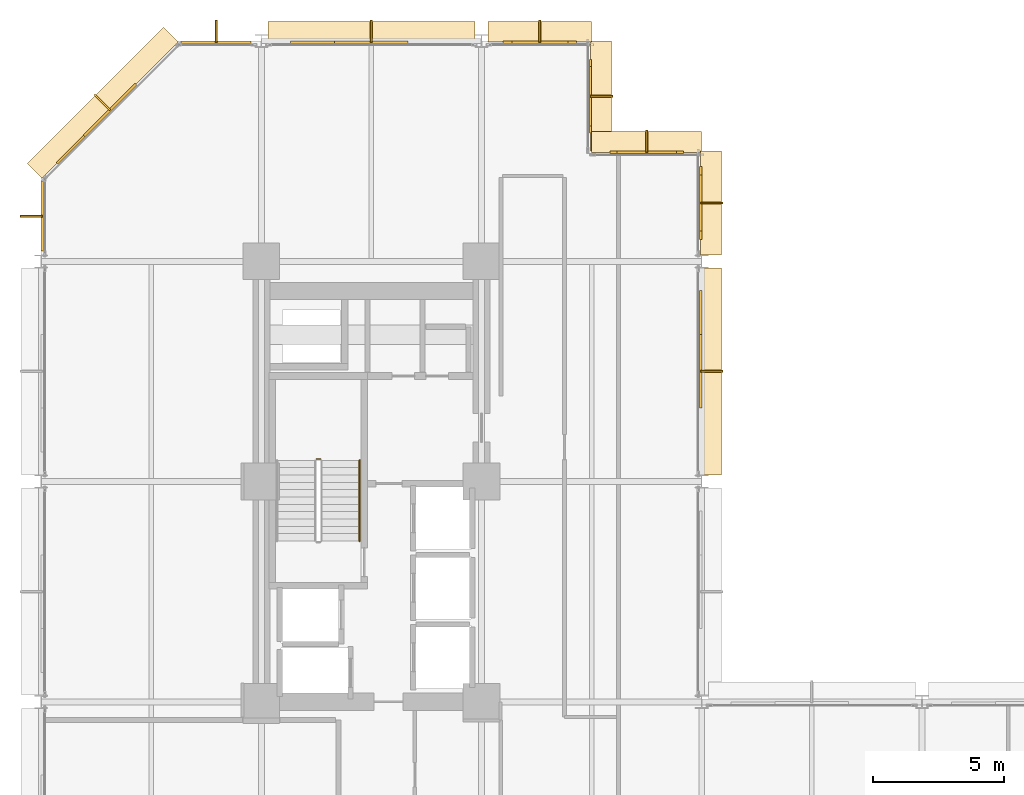
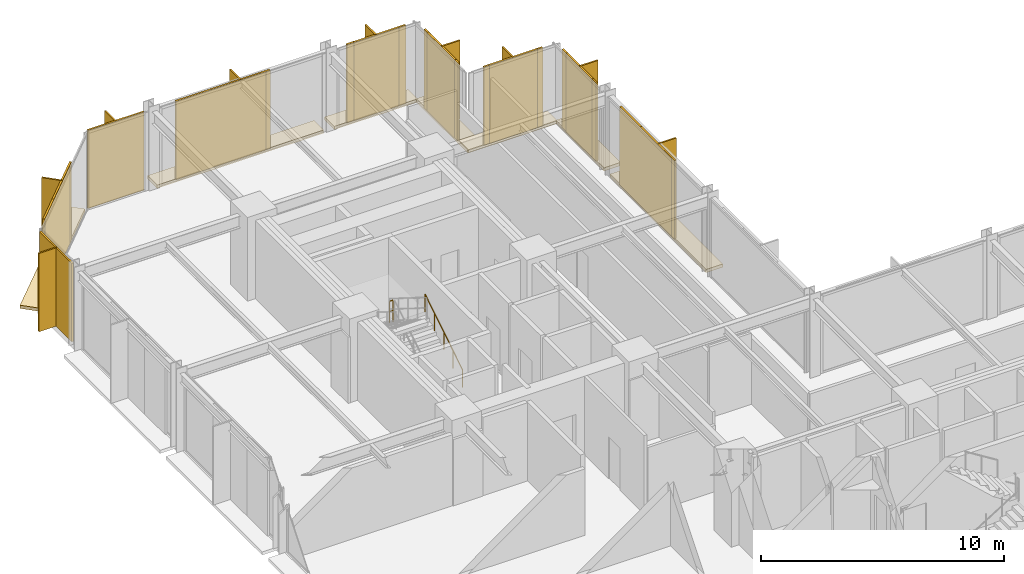
# One storey, part 30 of 30: 18 shading devices, 14 coverings, 2 railings.
"""IFC4 building model written with IfcOpenShell, lengths in metres."""

from ifc_helpers import new_model, si_unit, direction, frame, origin, origin_2d, place, context, subcontext, project, spatial, polyline, rectangle, circle, outline, extrude, material, layer, layer_set, type_object, element, save


model = new_model("IFC4")

# Units and contexts
model_context = context("Model", 3, precision=1e-05, world=origin(), true_north=direction((0.0, 1.0)))
body_context = subcontext(model_context, "Body", "Model", "MODEL_VIEW")
ifc_project = project(units=[si_unit("LENGTHUNIT", "METRE"), si_unit("AREAUNIT", "SQUARE_METRE"), si_unit("VOLUMEUNIT", "CUBIC_METRE"), si_unit("PLANEANGLEUNIT", "RADIAN"), si_unit("MASSUNIT", "GRAM", prefix="KILO")], contexts=[model_context])

# Site, building, storey
site_placement = place(None, origin())
site = spatial("IfcSite", under=ifc_project, at=site_placement, CompositionType="ELEMENT")
building_placement = place(site_placement, origin())
building = spatial("IfcBuilding", under=site, at=building_placement, Name="Nerrivon Quay Data Exchange", CompositionType="ELEMENT")
storey_placement = place(building_placement, frame((0.0, 0.0, 62.60009765625)))
storey = spatial("IfcBuildingStorey", under=building, at=storey_placement, Name="L14", CompositionType="ELEMENT", Elevation=62.60009765625)

# Coverings
ifc_material_1 = material(Name="Architectural terracotta ceramic", Category="masonry")
ifc_layer_1 = layer(ifc_material_1, 0.159912109375)
ifc_layer_set_1 = layer_set([ifc_layer_1], Name="Architectural terracotta ceramic")
covering_type_1 = type_object("IfcCoveringType", Name="COV-BLD-TERR", PredefinedType="CLADDING", material=ifc_layer_set_1)
covering_1_placement = place(storey_placement, frame((0.0, 0.0, -0.16015625)))
element("IfcCovering", 1, at=covering_1_placement, inside=storey, type_object=covering_type_1, Name="L14 Horizontal Terracotta SOLAR SCREEN Blade", PredefinedType="CLADDING", context=body_context, shape_type="SweptSolid", body=[
    extrude(outline(polyline([(0.0283203125, 45.171630859375), (5.228271484375, 50.37158203125), (4.669677734375, 50.930419921875), (-0.5302734375, 45.730224609375), (0.0283203125, 45.171630859375)])), origin(), (0.0, 0.0, 1.0), 0.16015625),
])
covering_2_placement = place(storey_placement, frame((0.0, 0.0, -0.16015625)))
element("IfcCovering", 2, at=covering_2_placement, inside=storey, type_object=covering_type_1, Name="L14 Horizontal Terracotta SOLAR SCREEN Blade", PredefinedType="CLADDING", context=body_context, shape_type="SweptSolid", body=[
    extrude(outline(polyline([(8.64990234375, 50.360107421875), (16.550048828125, 50.360107421875), (16.550048828125, 51.14990234375), (8.64990234375, 51.14990234375), (8.64990234375, 50.360107421875)])), origin(), (0.0, 0.0, 1.0), 0.16015625),
])
covering_3_placement = place(storey_placement, frame((0.0, 0.0, -0.16015625)))
element("IfcCovering", 3, at=covering_3_placement, inside=storey, type_object=covering_type_1, Name="L14 Horizontal Terracotta SOLAR SCREEN Blade", PredefinedType="CLADDING", context=body_context, shape_type="SweptSolid", body=[
    extrude(outline(polyline([(17.050048828125, 50.360107421875), (21.0, 50.360107421875), (21.0, 51.14990234375), (17.050048828125, 51.14990234375), (17.050048828125, 50.360107421875)])), origin(), (0.0, 0.0, 1.0), 0.16015625),
])
covering_4_placement = place(storey_placement, frame((0.0, 0.0, -0.16015625)))
element("IfcCovering", 4, at=covering_4_placement, inside=storey, type_object=covering_type_1, Name="L14 Horizontal Terracotta SOLAR SCREEN Blade", PredefinedType="CLADDING", context=body_context, shape_type="SweptSolid", body=[
    extrude(outline(polyline([(20.9599609375, 50.39990234375), (20.9599609375, 46.199951171875), (21.75, 46.199951171875), (21.75, 50.39990234375), (20.9599609375, 50.39990234375)])), origin(), (0.0, 0.0, 1.0), 0.16015625),
])
covering_5_placement = place(storey_placement, frame((0.0, 0.0, -0.16015625)))
element("IfcCovering", 5, at=covering_5_placement, inside=storey, type_object=covering_type_1, Name="L14 Horizontal Terracotta SOLAR SCREEN Blade", PredefinedType="CLADDING", context=body_context, shape_type="SweptSolid", body=[
    extrude(outline(polyline([(21.0, 46.159912109375), (25.199951171875, 46.159912109375), (25.199951171875, 46.949951171875), (21.0, 46.949951171875), (21.0, 46.159912109375)])), origin(), (0.0, 0.0, 1.0), 0.16015625),
])
covering_6_placement = place(storey_placement, frame((0.0, 0.0, -0.16015625)))
element("IfcCovering", 6, at=covering_6_placement, inside=storey, type_object=covering_type_1, Name="L14 Horizontal Terracotta SOLAR SCREEN Blade", PredefinedType="CLADDING", context=body_context, shape_type="SweptSolid", body=[
    extrude(outline(polyline([(25.159912109375, 46.199951171875), (25.159912109375, 42.25), (25.949951171875, 42.25), (25.949951171875, 46.199951171875), (25.159912109375, 46.199951171875)])), origin(), (0.0, 0.0, 1.0), 0.16015625),
])
covering_7_placement = place(storey_placement, frame((0.0, 0.0, -0.16015625)))
element("IfcCovering", 7, at=covering_7_placement, inside=storey, type_object=covering_type_1, Name="L14 Horizontal Terracotta SOLAR SCREEN Blade", PredefinedType="CLADDING", context=body_context, shape_type="SweptSolid", body=[
    extrude(outline(polyline([(25.159912109375, 41.75), (25.159912109375, 33.85009765625), (25.949951171875, 33.85009765625), (25.949951171875, 41.75), (25.159912109375, 41.75)])), origin(), (0.0, 0.0, 1.0), 0.16015625),
])
ifc_layer_2 = layer(ifc_material_1, 0.090087890625)
ifc_layer_set_2 = layer_set([ifc_layer_2], Name="Architectural terracotta ceramic")
covering_type_2 = type_object("IfcCoveringType", Name="COV-SCR-TERR", PredefinedType="CLADDING", material=ifc_layer_set_2)
covering_8_placement = place(storey_placement, frame((2.0078125, 47.144287109375, 0.0), z_axis=(0.0, 0.0, 1.0), x_axis=(0.707106781187, 0.707106781187, 0.0)))
element("IfcCovering", 8, at=covering_8_placement, inside=storey, type_object=covering_type_2, Name="L14 Perforated Terracotta SOLAR SCREEN Cassette", PredefinedType="CLADDING", context=body_context, shape_type="SweptSolid", body=[
    extrude(rectangle(XDim=3.970947265625, YDim=0.090087890625, at=origin_2d()), origin(), (0.0, 0.0, 1.0), 3.925048828125),
])
covering_9_placement = place(storey_placement, frame((11.652099609375, 50.35498046875, 0.0), z_axis=(0.0, 0.0, 1.0), x_axis=(1.0, 0.0, 0.0)))
element("IfcCovering", 9, at=covering_9_placement, inside=storey, type_object=covering_type_2, Name="L14 Perforated Terracotta SOLAR SCREEN Cassette", PredefinedType="CLADDING", context=body_context, shape_type="SweptSolid", body=[
    extrude(rectangle(XDim=4.26611328125, YDim=0.090087890625, at=origin_2d()), origin(), (0.0, 0.0, 1.0), 3.925048828125),
])
covering_10_placement = place(storey_placement, frame((19.02490234375, 50.35498046875, 0.0), z_axis=(0.0, 0.0, 1.0), x_axis=(1.0, 0.0, 0.0)))
element("IfcCovering", 10, at=covering_10_placement, inside=storey, type_object=covering_type_2, Name="L14 Perforated Terracotta SOLAR SCREEN Cassette", PredefinedType="CLADDING", context=body_context, shape_type="SweptSolid", body=[
    extrude(rectangle(XDim=2.133056640625, YDim=0.090087890625, at=origin_2d()), origin(), (0.0, 0.0, 1.0), 3.925048828125),
])
for number, where, z_axis, x_axis, name in (
    (11, (20.955078125, 48.300048828125, 0.0), (0.0, 0.0, 1.0), (0.0, -1.0, 0.0), "L14 Perforated Terracotta SOLAR SCREEN Cassette"),
    (12, (23.10009765625, 46.155029296875, 0.0), (0.0, 0.0, 1.0), (1.0, 0.0, 0.0), "L14 Perforated Terracotta SOLAR SCREEN Cassette"),
):
    element("IfcCovering", number, at=place(storey_placement, frame(where, z_axis=z_axis, x_axis=x_axis)), inside=storey, type_object=covering_type_2, Name=name, PredefinedType="CLADDING", context=body_context, shape_type="SweptSolid", body=[
        extrude(rectangle(XDim=2.26806640625, YDim=0.090087890625, at=origin_2d()), origin(), (0.0, 0.0, 1.0), 3.925048828125),
    ])
covering_11_placement = place(storey_placement, frame((25.155029296875, 44.22509765625, 0.0), z_axis=(0.0, 0.0, 1.0), x_axis=(0.0, -1.0, 0.0)))
element("IfcCovering", 13, at=covering_11_placement, inside=storey, type_object=covering_type_2, Name="L14 Perforated Terracotta SOLAR SCREEN Cassette", PredefinedType="CLADDING", context=body_context, shape_type="SweptSolid", body=[
    extrude(rectangle(XDim=2.133056640625, YDim=0.090087890625, at=origin_2d()), origin(), (0.0, 0.0, 1.0), 3.925048828125),
])
covering_12_placement = place(storey_placement, frame((25.155029296875, 38.748046875, 0.0), z_axis=(0.0, 0.0, 1.0), x_axis=(0.0, -1.0, 0.0)))
element("IfcCovering", 14, at=covering_12_placement, inside=storey, type_object=covering_type_2, Name="L14 Perforated Terracotta SOLAR SCREEN Cassette", PredefinedType="CLADDING", context=body_context, shape_type="SweptSolid", body=[
    extrude(rectangle(XDim=4.26611328125, YDim=0.090087890625, at=origin_2d()), origin(), (0.0, 0.0, 1.0), 3.925048828125),
])

# Railings
ifc_material_2 = material(Name="Steel Grade C350L0 (350 MPa)", Category="steel")
railing_type_1 = type_object("IfcRailingType", Name="RAIL-HAND-HR1", PredefinedType="HANDRAIL", material=ifc_material_2)
railing_1_placement = place(storey_placement, frame((12.14990234375, 31.330078125, 0.1748046875)))
element("IfcRailing", 15, at=railing_1_placement, inside=storey, type_object=railing_type_1, Name="L14 ST01 stair handrail 1", PredefinedType="HANDRAIL", context=body_context, shape_type="SweptSolid", body=[
    extrude(circle(Radius=0.02392578125, at=origin_2d()), frame((0.0, 0.0, 0.8759765625), z_axis=(0.0, 0.847979421464, 0.530029150871), x_axis=(-1.0, 0.0, 0.0)), (0.0, 0.0, 1.0), 3.632080078125),
    extrude(circle(Radius=0.02099609375, at=origin_2d()), origin(), (0.0, 0.0, 1.0), 0.851806640625),
    extrude(circle(Radius=0.02099609375, at=origin_2d()), frame((0.0, 0.77001953125, 0.481201171875)), (0.0, 0.0, 1.0), 0.851806640625),
    extrude(circle(Radius=0.02099609375, at=origin_2d()), frame((0.0, 1.5400390625, 0.96240234375)), (0.0, 0.0, 1.0), 0.851806640625),
    extrude(circle(Radius=0.02099609375, at=origin_2d()), frame((0.0, 2.309814453125, 1.44384765625)), (0.0, 0.0, 1.0), 0.851806640625),
    extrude(circle(Radius=0.02099609375, at=origin_2d()), frame((0.0, 3.079833984375, 1.925048828125)), (0.0, 0.0, 1.0), 0.851806640625),
])
railing_type_2 = type_object("IfcRailingType", Name="RAIL-STAIR-GR1", PredefinedType="BALUSTRADE", material=ifc_material_2)
railing_2_placement = place(storey_placement, frame((10.64990234375, 34.4599609375, 2.099853515625)))
element("IfcRailing", 16, at=railing_2_placement, inside=storey, type_object=railing_type_2, Name="L14 ST01 stair guard 2", PredefinedType="BALUSTRADE", context=body_context, shape_type="SweptSolid", body=[
    extrude(circle(Radius=0.02392578125, at=origin_2d()), frame((0.0, 0.0, 1.076171875), z_axis=(-1.0, 0.0, 0.0), x_axis=(0.0, -1.0, 0.0)), (0.0, 0.0, 1.0), 0.14990234375),
    extrude(circle(Radius=0.02392578125, at=origin_2d()), frame((0.0, 0.0, 0.550048828125), z_axis=(-1.0, 0.0, 0.0), x_axis=(0.0, -1.0, 0.0)), (0.0, 0.0, 1.0), 0.14990234375),
    extrude(circle(Radius=0.02099609375, at=origin_2d()), origin(), (0.0, 0.0, 1.0), 1.052001953125),
    extrude(circle(Radius=0.02099609375, at=origin_2d()), frame((-0.14990234375, 0.0, 0.0)), (0.0, 0.0, 1.0), 1.052001953125),
])

# Shading devices
ifc_layer_3 = layer(ifc_material_1, 0.074951171875)
ifc_layer_set_3 = layer_set([ifc_layer_3], Name="Architectural terracotta ceramic")
shading_device_type_1 = type_object("IfcShadingDeviceType", Name="SHD-FIN-SS02", PredefinedType="USERDEFINED", material=ifc_layer_set_3)
for number, where, z_axis, x_axis, name in (
    (17, (-0.3798828125, 43.72509765625, 0.0), (0.0, 0.0, 1.0), (0.0, 1.0, 0.0), "L14 Subtropical Solar Fin Blade 22"),
    (18, (2.331298828125, 48.068603515625, 0.0), (0.0, 0.0, 1.0), (0.707106781187, 0.707106781187, 0.0), "L14 Subtropical Solar Fin Blade 23"),
    (19, (6.675048828125, 50.780029296875, 0.0), (0.0, 0.0, 1.0), (1.0, 0.0, 0.0), "L14 Subtropical Solar Fin Blade 24"),
    (20, (12.60009765625, 50.780029296875, 0.0), (0.0, 0.0, 1.0), (1.0, 0.0, 0.0), "L14 Subtropical Solar Fin Blade 25"),
    (21, (19.02490234375, 50.780029296875, 0.0), (0.0, 0.0, 1.0), (1.0, 0.0, 0.0), "L14 Subtropical Solar Fin Blade 26"),
    (22, (21.3798828125, 48.300048828125, 0.0), (0.0, 0.0, 1.0), (0.0, -1.0, 0.0), "L14 Subtropical Solar Fin Blade 27"),
    (23, (23.10009765625, 46.580078125, 0.0), (0.0, 0.0, 1.0), (1.0, 0.0, 0.0), "L14 Subtropical Solar Fin Blade 28"),
    (24, (25.580078125, 44.22509765625, 0.0), (0.0, 0.0, 1.0), (0.0, -1.0, 0.0), "L14 Subtropical Solar Fin Blade 29"),
    (25, (25.580078125, 37.800048828125, 0.0), (0.0, 0.0, 1.0), (0.0, -1.0, 0.0), "L14 Subtropical Solar Fin Blade 30"),
):
    element("IfcShadingDevice", number, at=place(storey_placement, frame(where, z_axis=z_axis, x_axis=x_axis)), inside=storey, type_object=shading_device_type_1, Name=name, ObjectType="FIN", PredefinedType="USERDEFINED", context=body_context, shape_type="SweptSolid", body=[
        extrude(rectangle(XDim=0.074951171875, YDim=0.85009765625, at=origin_2d()), origin(), (0.0, 0.0, 1.0), 3.925048828125),
    ])
ifc_layer_4 = layer(ifc_material_1, 0.0849609375)
ifc_layer_set_4 = layer_set([ifc_layer_4], Name="Architectural terracotta ceramic")
shading_device_type_2 = type_object("IfcShadingDeviceType", Name="SHD-SCR-SS01", PredefinedType="USERDEFINED", material=ifc_layer_set_4)
shading_device_1_placement = place(storey_placement, frame((0.0400390625, 43.72509765625, 0.0), z_axis=(0.0, 0.0, 1.0), x_axis=(0.0, 1.0, 0.0)))
element("IfcShadingDevice", 26, at=shading_device_1_placement, inside=storey, type_object=shading_device_type_2, Name="L14 Perforated Terracotta Solar Screen 22", ObjectType="SCREEN", PredefinedType="USERDEFINED", context=body_context, shape_type="SweptSolid", body=[
    extrude(rectangle(XDim=2.64990234375, YDim=0.0849609375, at=origin_2d()), origin(), (0.0, 0.0, 1.0), 3.925048828125),
])
shading_device_2_placement = place(storey_placement, frame((2.62841796875, 47.771728515625, 0.0), z_axis=(0.0, 0.0, 1.0), x_axis=(0.707106781187, 0.707106781187, 0.0)))
element("IfcShadingDevice", 27, at=shading_device_2_placement, inside=storey, type_object=shading_device_type_2, Name="L14 Perforated Terracotta Solar Screen 23", ObjectType="SCREEN", PredefinedType="USERDEFINED", context=body_context, shape_type="SweptSolid", body=[
    extrude(rectangle(XDim=2.800048828125, YDim=0.0849609375, at=origin_2d()), origin(), (0.0, 0.0, 1.0), 3.925048828125),
])
shading_device_3_placement = place(storey_placement, frame((6.675048828125, 50.360107421875, 0.0), z_axis=(0.0, 0.0, 1.0), x_axis=(1.0, 0.0, 0.0)))
element("IfcShadingDevice", 28, at=shading_device_3_placement, inside=storey, type_object=shading_device_type_2, Name="L14 Perforated Terracotta Solar Screen 24", ObjectType="SCREEN", PredefinedType="USERDEFINED", context=body_context, shape_type="SweptSolid", body=[
    extrude(rectangle(XDim=2.64990234375, YDim=0.0849609375, at=origin_2d()), origin(), (0.0, 0.0, 1.0), 3.925048828125),
])
for number, where, z_axis, x_axis, name in (
    (29, (12.60009765625, 50.360107421875, 0.0), (0.0, 0.0, 1.0), (1.0, 0.0, 0.0), "L14 Perforated Terracotta Solar Screen 25"),
    (30, (19.02490234375, 50.360107421875, 0.0), (0.0, 0.0, 1.0), (1.0, 0.0, 0.0), "L14 Perforated Terracotta Solar Screen 26"),
    (31, (20.9599609375, 48.300048828125, 0.0), (0.0, 0.0, 1.0), (0.0, -1.0, 0.0), "L14 Perforated Terracotta Solar Screen 27"),
    (32, (23.10009765625, 46.159912109375, 0.0), (0.0, 0.0, 1.0), (1.0, 0.0, 0.0), "L14 Perforated Terracotta Solar Screen 28"),
    (33, (25.159912109375, 44.22509765625, 0.0), (0.0, 0.0, 1.0), (0.0, -1.0, 0.0), "L14 Perforated Terracotta Solar Screen 29"),
    (34, (25.159912109375, 37.800048828125, 0.0), (0.0, 0.0, 1.0), (0.0, -1.0, 0.0), "L14 Perforated Terracotta Solar Screen 30"),
):
    element("IfcShadingDevice", number, at=place(storey_placement, frame(where, z_axis=z_axis, x_axis=x_axis)), inside=storey, type_object=shading_device_type_2, Name=name, ObjectType="SCREEN", PredefinedType="USERDEFINED", context=body_context, shape_type="SweptSolid", body=[
        extrude(rectangle(XDim=2.800048828125, YDim=0.0849609375, at=origin_2d()), origin(), (0.0, 0.0, 1.0), 3.925048828125),
    ])

save(model, "model.ifc")
